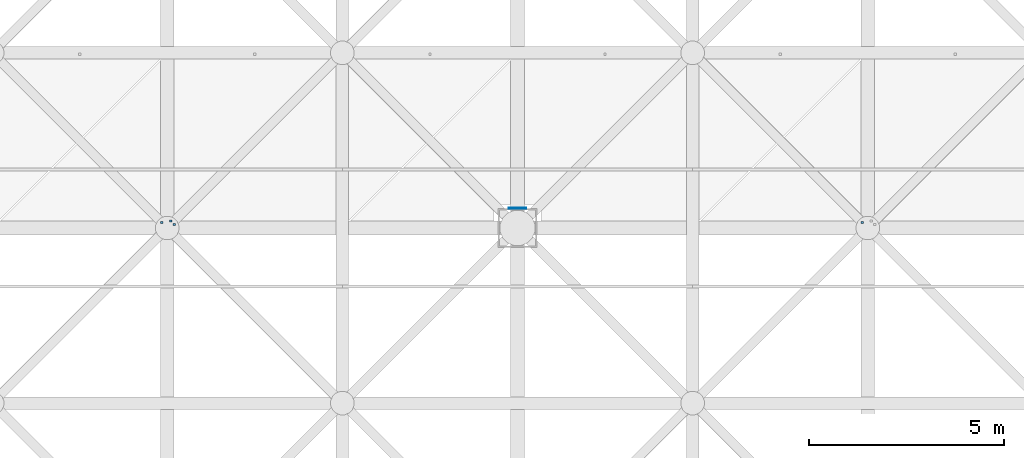
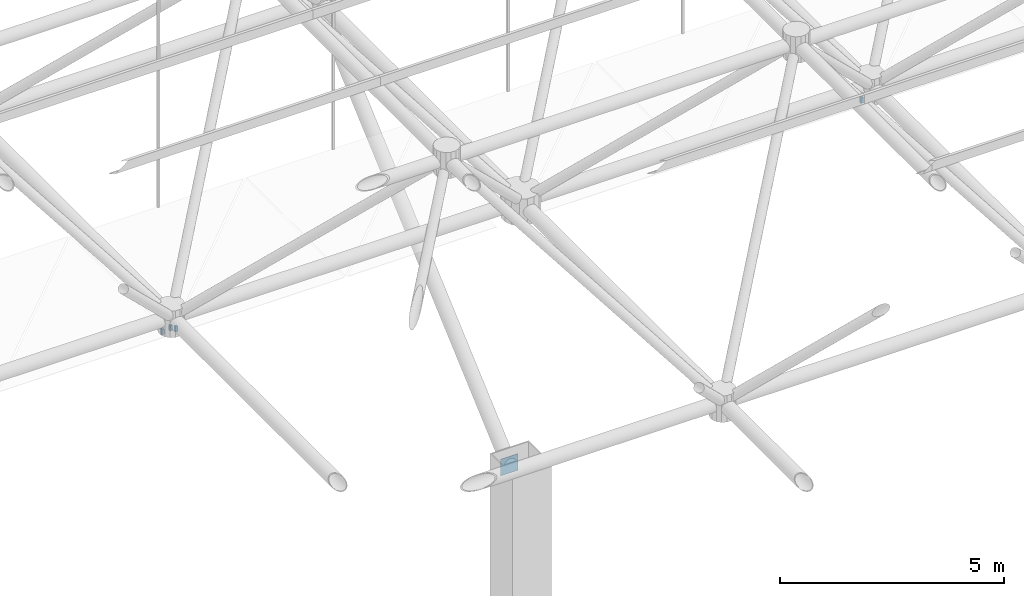
# One storey, part 391 of 437: 5 discrete accessories.
"""IFC4 building model written with IfcOpenShell, lengths in metres."""

import ifcopenshell
import ifcopenshell.guid

model = None  # the IFC model being written
_history = None  # IfcOwnerHistory: only IFC2X3 demands one
_inside = {}  # id of a spatial element -> (the spatial element, [elements in it])
_under = {}  # id of a project, library or spatial element -> (it, [spatial elements below it])
_declared = {}  # id of a project -> (the project, [libraries it declares])
_typed = {}  # id of a type object -> (the type object, [elements of that type])
_made_of = {}  # id of a material, layer set ... -> (it, [elements and type objects made of it])


def new_model(schema):
    """Start an empty IFC model of exactly this schema.

    Asked for "IFC4X3", IfcOpenShell would pick the latest addendum, in which some entities
    have other attributes; the version numbers below select the first issue.
    IFC2X3 requires an IfcOwnerHistory on every rooted entity: one is made here for all.
    """
    global model, _history
    if schema == "IFC4X3":
        model = ifcopenshell.file(schema_version=(4, 3, 0, 0))
    else:
        model = ifcopenshell.file(schema=schema)
    _inside.clear()
    _under.clear()
    _declared.clear()
    _typed.clear()
    _made_of.clear()
    _history = None
    if model.schema == "IFC2X3":
        org = make("IfcOrganization", Name="unknown")
        user = make(
            "IfcPersonAndOrganization",
            ThePerson=make("IfcPerson", FamilyName="unknown"),
            TheOrganization=org,
        )
        app = make(
            "IfcApplication",
            ApplicationDeveloper=org,
            Version="unknown",
            ApplicationFullName="unknown",
            ApplicationIdentifier="unknown",
        )
        _history = make(
            "IfcOwnerHistory",
            OwningUser=user,
            OwningApplication=app,
            ChangeAction="ADDED",
            CreationDate=0,
        )
    return model


def make(cls, **values):
    """One entity of the class cls with the attributes given. An attribute that is None is left unset."""
    return model.create_entity(
        cls, **{name: value for name, value in values.items() if value is not None}
    )


def rooted(cls, **values):
    """An entity with a GlobalId (a new one), such as an element, a storey or a relation."""
    return make(cls, GlobalId=ifcopenshell.guid.new(), OwnerHistory=_history, **values)


def si_unit(unit_type, name, prefix=None):
    """IfcSIUnit, for example si_unit("LENGTHUNIT", "METRE", prefix="MILLI")."""
    return make("IfcSIUnit", UnitType=unit_type, Prefix=prefix, Name=name)


def assignment(units):
    """IfcUnitAssignment: the units of a project."""
    return None if units is None else make("IfcUnitAssignment", Units=units)


def point(xyz):
    """IfcCartesianPoint."""
    return None if xyz is None else make("IfcCartesianPoint", Coordinates=xyz)


def direction(xyz):
    """IfcDirection."""
    return None if xyz is None else make("IfcDirection", DirectionRatios=xyz)


def frame(location, z_axis=None, x_axis=None):
    """IfcAxis2Placement3D, a coordinate frame: its origin and axes. An axis left out is left unset."""
    return make(
        "IfcAxis2Placement3D",
        Location=point(location),
        Axis=direction(z_axis),
        RefDirection=direction(x_axis),
    )


def origin():
    """The frame at (0, 0, 0) with its axes left unset."""
    return frame((0.0, 0.0, 0.0))


def place(relative_to, where):
    """IfcLocalPlacement: puts the frame where relative to a parent placement (None: the world)."""
    return make(
        "IfcLocalPlacement", PlacementRelTo=relative_to, RelativePlacement=where
    )


def context(
    kind, dimensions, precision=None, world=None, true_north=None, identifier=None
):
    """IfcGeometricRepresentationContext, for example the 3D "Model" context."""
    return make(
        "IfcGeometricRepresentationContext",
        ContextIdentifier=identifier,
        ContextType=kind,
        CoordinateSpaceDimension=dimensions,
        Precision=precision,
        WorldCoordinateSystem=world,
        TrueNorth=true_north,
    )


def subcontext(parent, identifier, kind, view, scale=None):
    """IfcGeometricRepresentationSubContext, for example "Body" below "Model"."""
    return make(
        "IfcGeometricRepresentationSubContext",
        ContextIdentifier=identifier,
        ContextType=kind,
        ParentContext=parent,
        TargetScale=scale,
        TargetView=view,
    )


def project(units=None, contexts=None):
    """IfcProject with its units and contexts."""
    return rooted(
        "IfcProject",
        Name="project",
        RepresentationContexts=contexts,
        UnitsInContext=assignment(units),
    )


def spatial(cls, under=None, at=None, **own):
    """A site, building, storey or space (cls), placed at a placement, below another one or the project."""
    s = rooted(cls, ObjectPlacement=at, **own)
    if under is not None:
        _under.setdefault(under.id(), (under, []))[1].append(s)
    return s


def polyline(points):
    """IfcPolyline through the points."""
    return make("IfcPolyline", Points=[point(p) for p in points])


def outline(outer, holes=None, kind="AREA"):
    """IfcArbitraryClosedProfileDef: a profile drawn as a closed curve; with holes, ...WithVoids."""
    if holes is None:
        return make("IfcArbitraryClosedProfileDef", ProfileType=kind, OuterCurve=outer)
    return make(
        "IfcArbitraryProfileDefWithVoids",
        ProfileType=kind,
        OuterCurve=outer,
        InnerCurves=holes,
    )


def extrude(swept, where, along, depth):
    """IfcExtrudedAreaSolid: the profile swept, set in the frame where, extruded along a direction by depth."""
    return make(
        "IfcExtrudedAreaSolid",
        SweptArea=swept,
        Position=where,
        ExtrudedDirection=direction(along),
        Depth=depth,
    )


def shape(context_of_items, identifier, shape_type, items):
    """IfcShapeRepresentation: the items that make up one representation, for example the "Body"."""
    return make(
        "IfcShapeRepresentation",
        ContextOfItems=context_of_items,
        RepresentationIdentifier=identifier,
        RepresentationType=shape_type,
        Items=items,
    )


def material(Name=None, Category=None):
    """IfcMaterial."""
    return make("IfcMaterial", Name=Name, Category=Category)


def layer(
    of_material, thickness, ventilated=None, Name=None, Category=None, Priority=None
):
    """IfcMaterialLayer: one layer of a wall or slab, of a material (None: an air gap)."""
    return make(
        "IfcMaterialLayer",
        Material=of_material,
        LayerThickness=thickness,
        IsVentilated=ventilated,
        Name=Name,
        Category=Category,
        Priority=Priority,
    )


def layer_set(layers, Name=None):
    """IfcMaterialLayerSet."""
    return make("IfcMaterialLayerSet", MaterialLayers=layers, LayerSetName=Name)


def made_of(thing, what):
    """Note that an element or type object is made of a material, layer set ...; save() writes the relation."""
    if what is not None:
        _made_of.setdefault(what.id(), (what, []))[1].append(thing)
    return thing


def type_object(cls, material=None, **own):
    """A type object (cls), such as IfcWallType, which elements share."""
    return made_of(rooted(cls, **own), material)


def element(
    cls,
    number,
    at=None,
    inside=None,
    cuts=None,
    type_object=None,
    material=None,
    context=None,
    identifier="Body",
    shape_type=None,
    held_by="IfcProductDefinitionShape",
    body=None,
    shapes=None,
    **own,
):
    """One element of the class cls, such as IfcWall. Its Tag is "e" and its number.

    at: its placement. inside: the storey or other place that contains it. cuts: it is an
    opening in that element (IfcRelVoidsElement). A single representation is given by context,
    identifier, shape_type and body (its items); several are given by shapes. held_by: the class
    of the entity that holds the representations. save() writes the other relations.
    """
    e = rooted(cls, Tag="e%d" % number, ObjectPlacement=at, **own)
    if body is not None:
        shapes = [shape(context, identifier, shape_type, body)]
    if shapes is not None:
        e.Representation = make(held_by, Representations=shapes)
    if inside is not None:
        _inside.setdefault(inside.id(), (inside, []))[1].append(e)
    if cuts is not None:
        rooted(
            "IfcRelVoidsElement", RelatingBuildingElement=cuts, RelatedOpeningElement=e
        )
    if type_object is not None:
        _typed.setdefault(type_object.id(), (type_object, []))[1].append(e)
    return made_of(e, material)


def aggregate(whole, parts):
    """IfcRelAggregates: a whole, such as a stair, and the parts it consists of."""
    return rooted("IfcRelAggregates", RelatingObject=whole, RelatedObjects=parts)


def save(model, path):
    """Write the relations noted so far, then the file.

    IfcRelAggregates (storeys below a building ...), IfcRelContainedInSpatialStructure (elements
    in a storey), IfcRelDefinesByType, IfcRelAssociatesMaterial and IfcRelDeclares: one each for
    every whole, place, type object, material and project.
    """
    for whole, parts in _under.values():
        aggregate(whole, parts)
    for where, things in _inside.values():
        rooted(
            "IfcRelContainedInSpatialStructure",
            RelatedElements=things,
            RelatingStructure=where,
        )
    for kind, things in _typed.values():
        rooted("IfcRelDefinesByType", RelatedObjects=things, RelatingType=kind)
    for what, things in _made_of.values():
        rooted("IfcRelAssociatesMaterial", RelatedObjects=things, RelatingMaterial=what)
    for by, libraries in _declared.values():
        rooted("IfcRelDeclares", RelatingContext=by, RelatedDefinitions=libraries)
    model.write(path)


model = new_model("IFC4")

# Units and contexts
model_context = context("Model", 3, precision=1e-05, world=origin(), true_north=direction((0.0, 1.0)))
body_context = subcontext(model_context, "Body", "Model", "MODEL_VIEW")
ifc_project = project(units=[si_unit("LENGTHUNIT", "METRE"), si_unit("AREAUNIT", "SQUARE_METRE"), si_unit("VOLUMEUNIT", "CUBIC_METRE"), si_unit("PLANEANGLEUNIT", "RADIAN"), si_unit("MASSUNIT", "GRAM", prefix="KILO")], contexts=[model_context])

# Site, building, storey
site_placement = place(None, origin())
site = spatial("IfcSite", under=ifc_project, at=site_placement, CompositionType="ELEMENT")
building_placement = place(site_placement, origin())
building = spatial("IfcBuilding", under=site, at=building_placement, Name="Opaline Strait Convention Centre", CompositionType="ELEMENT")
storey_placement = place(building_placement, frame((0.0, 0.0, 11.5)))
storey = spatial("IfcBuildingStorey", under=building, at=storey_placement, Name="L02", CompositionType="ELEMENT", Elevation=11.5)

# Discrete accessories
ifc_material_1 = material(Name="Structural steel Q355B", Category="steel")
ifc_layer = layer(ifc_material_1, 0.01611328125)
ifc_layer_set = layer_set([ifc_layer], Name="Structural steel Q355B")
discrete_accessory_type_1 = type_object("IfcDiscreteAccessoryType", Name="Prop bearing plate 450 x 450 x 16", PredefinedType="ANCHORPLATE", material=ifc_layer_set)
discrete_accessory_1_placement = place(storey_placement, frame((0.0, 0.0, 4.7890625)))
element("IfcDiscreteAccessory", 1, at=discrete_accessory_1_placement, inside=storey, type_object=discrete_accessory_type_1, Name="Prop bearing plate 189/153 N", PredefinedType="ANCHORPLATE", context=body_context, shape_type="SweptSolid", body=[
    extrude(outline(polyline([(188.77490234375, 153.5), (189.22509765625, 153.5), (189.22509765625, 153.51611328125), (188.77490234375, 153.51611328125), (188.77490234375, 153.5)])), origin(), (0.0, 0.0, 1.0), 0.449951171875),
])
ifc_material_2 = material(Name="Steel Q355B", Category="steel")
discrete_accessory_type_2 = type_object("IfcDiscreteAccessoryType", Name="Soffit hanger 60x60 steel", PredefinedType="BRACKET", material=ifc_material_2)
discrete_accessory_2_placement = place(storey_placement, frame((0.0, 0.0, 11.989990234375)))
element("IfcDiscreteAccessory", 2, at=discrete_accessory_2_placement, inside=storey, type_object=discrete_accessory_type_2, Name="Soffit hanger", PredefinedType="BRACKET", context=body_context, shape_type="SweptSolid", body=[
    extrude(outline(polyline([(179.82861328125, 153.111328125), (179.888671875, 153.111328125), (179.888671875, 153.17138671875), (179.82861328125, 153.17138671875), (179.82861328125, 153.111328125)])), origin(), (0.0, 0.0, 1.0), 0.14990234375),
])
discrete_accessory_3_placement = place(storey_placement, frame((0.0, 0.0, 11.989990234375)))
element("IfcDiscreteAccessory", 3, at=discrete_accessory_3_placement, inside=storey, type_object=discrete_accessory_type_2, Name="Soffit hanger", PredefinedType="BRACKET", context=body_context, shape_type="SweptSolid", body=[
    extrude(outline(polyline([(180.14892578125, 153.059326171875), (180.208984375, 153.059326171875), (180.208984375, 153.119140625), (180.14892578125, 153.119140625), (180.14892578125, 153.059326171875)])), origin(), (0.0, 0.0, 1.0), 0.14990234375),
])
discrete_accessory_4_placement = place(storey_placement, frame((0.0, 0.0, 11.989990234375)))
element("IfcDiscreteAccessory", 4, at=discrete_accessory_4_placement, inside=storey, type_object=discrete_accessory_type_2, Name="Soffit hanger", PredefinedType="BRACKET", context=body_context, shape_type="SweptSolid", body=[
    extrude(outline(polyline([(180.059326171875, 153.14892578125), (180.119140625, 153.14892578125), (180.119140625, 153.208984375), (180.059326171875, 153.208984375), (180.059326171875, 153.14892578125)])), origin(), (0.0, 0.0, 1.0), 0.14990234375),
])
discrete_accessory_5_placement = place(storey_placement, frame((0.0, 0.0, 11.989990234375)))
element("IfcDiscreteAccessory", 5, at=discrete_accessory_5_placement, inside=storey, type_object=discrete_accessory_type_2, Name="Soffit hanger", PredefinedType="BRACKET", context=body_context, shape_type="SweptSolid", body=[
    extrude(outline(polyline([(197.82861328125, 153.111328125), (197.888671875, 153.111328125), (197.888671875, 153.17138671875), (197.82861328125, 153.17138671875), (197.82861328125, 153.111328125)])), origin(), (0.0, 0.0, 1.0), 0.14990234375),
])

save(model, "model.ifc")
